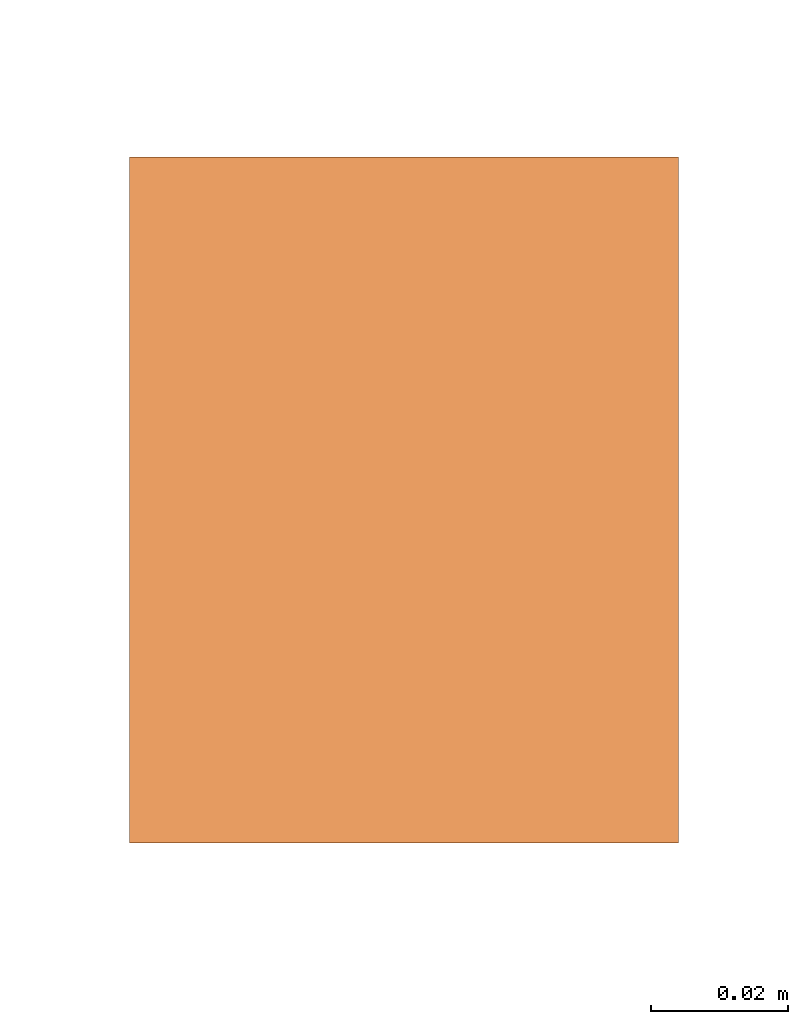
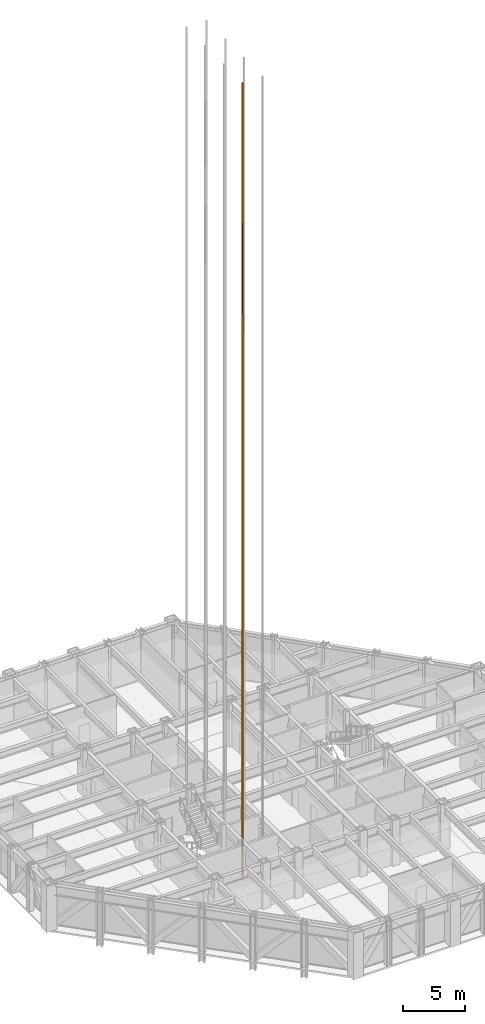
# One storey, part 19 of 26: 1 proxy.
"""IFC4 building model written with IfcOpenShell, lengths in metres."""

from ifc_helpers import new_model, si_unit, direction, frame, origin, origin_2d, place, context, subcontext, project, spatial, rectangle, extrude, material, type_object, element, save


model = new_model("IFC4")

# Units and contexts
model_context = context("Model", 3, precision=1e-05, world=origin(), true_north=direction((0.0, 1.0)))
body_context = subcontext(model_context, "Body", "Model", "MODEL_VIEW")
ifc_project = project(units=[si_unit("LENGTHUNIT", "METRE"), si_unit("AREAUNIT", "SQUARE_METRE"), si_unit("VOLUMEUNIT", "CUBIC_METRE"), si_unit("PLANEANGLEUNIT", "RADIAN"), si_unit("MASSUNIT", "GRAM", prefix="KILO")], contexts=[model_context])

# Site, building, storey
site_placement = place(None, origin())
site = spatial("IfcSite", under=ifc_project, at=site_placement, CompositionType="ELEMENT")
building_placement = place(site_placement, origin())
building = spatial("IfcBuilding", under=site, at=building_placement, Name="Chuquiago Exchange Tower", CompositionType="ELEMENT")
storey_placement = place(building_placement, frame((0.0, 0.0, 102.300048828125)))
storey = spatial("IfcBuildingStorey", under=building, at=storey_placement, Name="L21", CompositionType="ELEMENT", Elevation=102.300048828125)

# Proxy
ifc_material = material(Name="Galvanised steel guide rail", Category="steel")
building_element_proxy_type = type_object("IfcBuildingElementProxyType", Name="LR lift guide rail", PredefinedType="NOTDEFINED", material=ifc_material)
proxy_placement = place(storey_placement, frame((17.06494140625, 16.5, 0.0), z_axis=(0.0, 0.0, 1.0), x_axis=(1.0, 0.0, 0.0)))
element("IfcBuildingElementProxy", 1, at=proxy_placement, inside=storey, type_object=building_element_proxy_type, Name="Lift LB1 guide rail W", PredefinedType="NOTDEFINED", context=body_context, shape_type="SweptSolid", body=[
    extrude(rectangle(XDim=0.080078125, YDim=0.10009765625, at=origin_2d()), origin(), (0.0, 0.0, 1.0), 77.699951171875),
])

save(model, "model.ifc")
